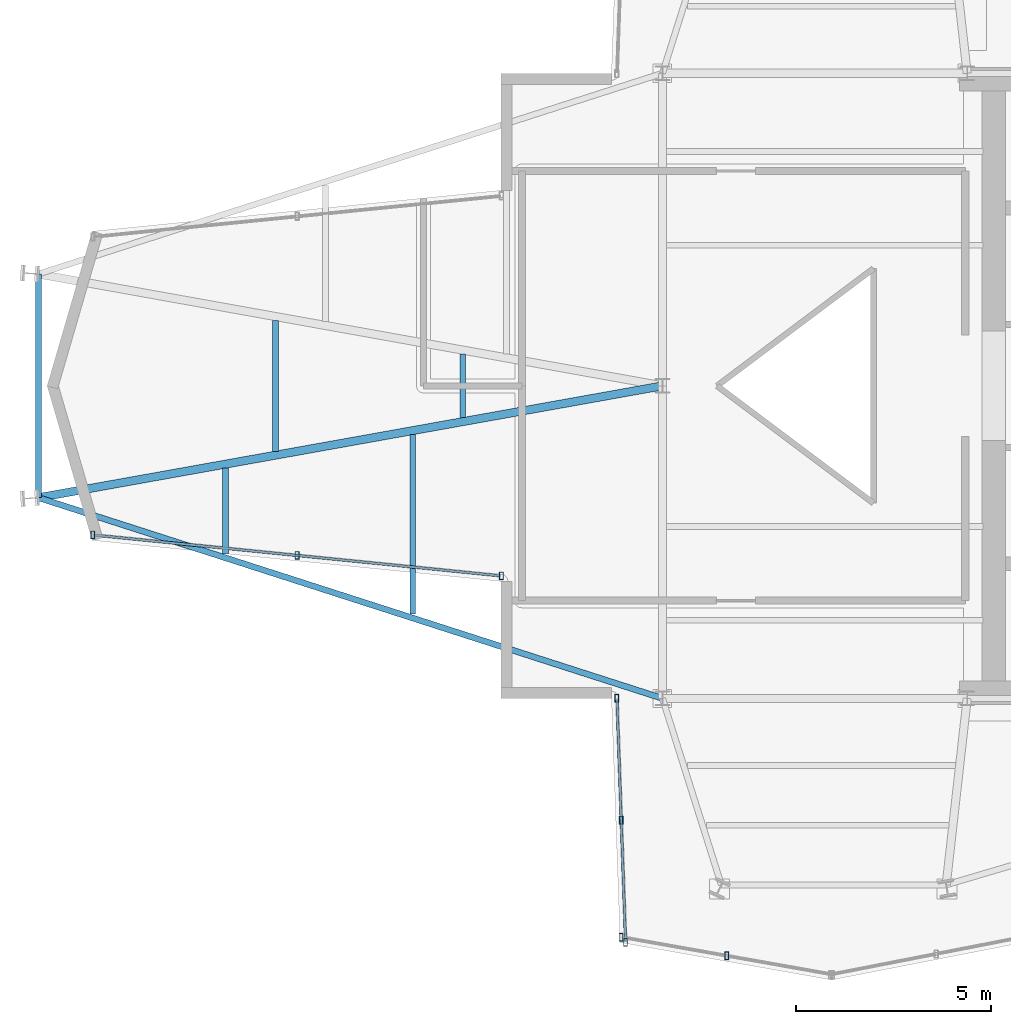
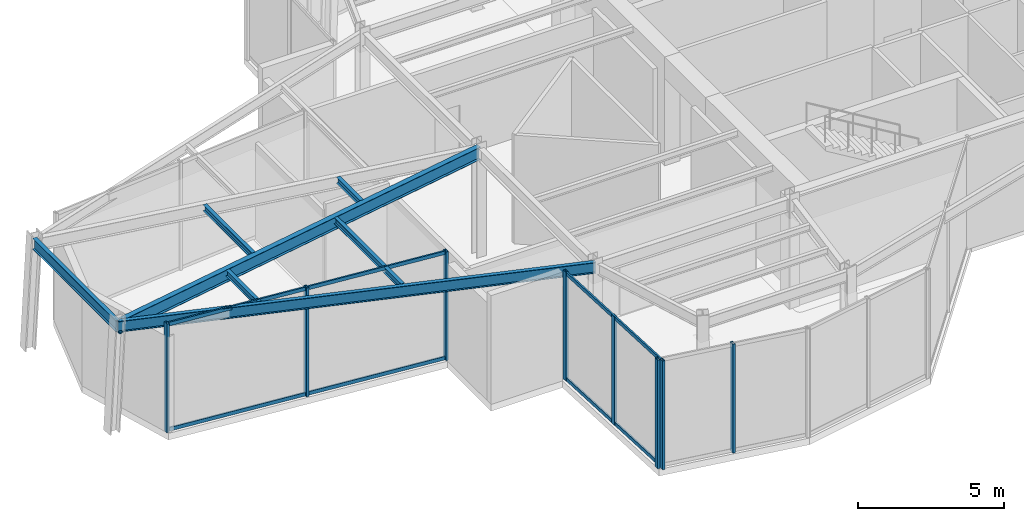
# One storey, part 2 of 15: 12 members, 7 beams, 3 elements without a shape of their own.
"""IFC4 building model written with IfcOpenShell, lengths in metres."""

from ifc_helpers import new_model, si_unit, direction, frame, origin, origin_2d, place, context, subcontext, project, spatial, hollow_rectangle, i_section, extrude, material, layer, layer_set, material_profile, profile_set, type_object, element, aggregate, save


model = new_model("IFC4")

# Units and contexts
model_context = context("Model", 3, precision=1e-05, world=origin(), true_north=direction((0.0, 1.0)))
body_context = subcontext(model_context, "Body", "Model", "MODEL_VIEW")
ifc_project = project(units=[si_unit("LENGTHUNIT", "METRE"), si_unit("AREAUNIT", "SQUARE_METRE"), si_unit("VOLUMEUNIT", "CUBIC_METRE"), si_unit("PLANEANGLEUNIT", "RADIAN"), si_unit("MASSUNIT", "GRAM", prefix="KILO")], contexts=[model_context])

# Site, building, storey
site_placement = place(None, origin())
site = spatial("IfcSite", under=ifc_project, at=site_placement, CompositionType="ELEMENT")
building_placement = place(site_placement, origin())
building = spatial("IfcBuilding", under=site, at=building_placement, Name="Veymaron Broadcast Tower", CompositionType="ELEMENT")
storey_placement = place(building_placement, frame((0.0, 0.0, 262.050048828125)))
storey = spatial("IfcBuildingStorey", under=building, at=storey_placement, Name="L61", CompositionType="ELEMENT", Elevation=262.050048828125)

# Beams
ifc_material_1 = material(Name="Structural steel ASTM A992 Gr 50", Category="steel")
ifc_material_profile_1 = material_profile(ifc_material_1, i_section(OverallWidth=0.208984375, OverallDepth=0.528076171875, WebThickness=0.009521484375, FlangeThickness=0.01318359375, at=origin_2d()), Name="W530X82")
ifc_profile_set_1 = profile_set([ifc_material_profile_1], Name="Structural steel ASTM A992 Gr 50")
beam_type_1 = type_object("IfcBeamType", Name="BM-FG4", PredefinedType="BEAM", material=ifc_profile_set_1)
beam_1_placement = place(storey_placement, frame((15.224365234375, 21.137939453125, 4.2958984375), z_axis=(0.98432849912, 0.176344565609, 0.0), x_axis=(-0.176344565609, 0.98432849912, 0.0)))
element("IfcBeam", 1, at=beam_1_placement, inside=storey, type_object=beam_type_1, Name="L61 primary structural floor girder", PredefinedType="BEAM", context=body_context, shape_type="SweptSolid", body=[
    extrude(i_section(OverallWidth=0.208984375, OverallDepth=0.528076171875, WebThickness=0.009521484375, FlangeThickness=0.01318359375, at=origin_2d()), origin(), (0.0, 0.0, 1.0), 16.22998046875),
])
ifc_material_profile_2 = material_profile(ifc_material_1, i_section(OverallWidth=0.14599609375, OverallDepth=0.258056640625, WebThickness=0.006103515625, FlangeThickness=0.009033203125, at=origin_2d()), Name="W250X33")
ifc_profile_set_2 = profile_set([ifc_material_profile_2], Name="Structural steel ASTM A992 Gr 50")
beam_type_2 = type_object("IfcBeamType", Name="BM-JS4", PredefinedType="JOIST", material=ifc_profile_set_2)
beam_2_placement = place(storey_placement, frame((20.01708984375, 19.696533203125, 4.430908203125), z_axis=(0.0, 1.0, 0.0), x_axis=(-1.0, 0.0, 0.0)))
element("IfcBeam", 2, at=beam_2_placement, inside=storey, type_object=beam_type_2, Name="L61 Arm-A secondary joist 1S", PredefinedType="JOIST", context=body_context, shape_type="SweptSolid", body=[
    extrude(i_section(OverallWidth=0.14599609375, OverallDepth=0.258056640625, WebThickness=0.006103515625, FlangeThickness=0.009033203125, at=origin_2d()), origin(), (0.0, 0.0, 1.0), 2.199951171875),
])
beam_3_placement = place(storey_placement, frame((21.295166015625, 22.32568359375, 4.430908203125), z_axis=(0.0, 1.0, 0.0), x_axis=(-1.0, 0.0, 0.0)))
element("IfcBeam", 3, at=beam_3_placement, inside=storey, type_object=beam_type_2, Name="L61 Arm-A secondary joist 1M", PredefinedType="JOIST", context=body_context, shape_type="SweptSolid", body=[
    extrude(i_section(OverallWidth=0.14599609375, OverallDepth=0.258056640625, WebThickness=0.006103515625, FlangeThickness=0.009033203125, at=origin_2d()), origin(), (0.0, 0.0, 1.0), 3.3486328125),
])
beam_4_placement = place(storey_placement, frame((24.809814453125, 18.1552734375, 4.430908203125), z_axis=(0.0, 1.0, 0.0), x_axis=(-1.0, 0.0, 0.0)))
element("IfcBeam", 4, at=beam_4_placement, inside=storey, type_object=beam_type_2, Name="L61 Arm-A secondary joist 2S", PredefinedType="JOIST", context=body_context, shape_type="SweptSolid", body=[
    extrude(i_section(OverallWidth=0.14599609375, OverallDepth=0.258056640625, WebThickness=0.006103515625, FlangeThickness=0.009033203125, at=origin_2d()), origin(), (0.0, 0.0, 1.0), 4.599853515625),
])
beam_5_placement = place(storey_placement, frame((26.087890625, 23.18408203125, 4.430908203125), z_axis=(0.0, 1.0, 0.0), x_axis=(-1.0, 0.0, 0.0)))
element("IfcBeam", 5, at=beam_5_placement, inside=storey, type_object=beam_type_2, Name="L61 Arm-A secondary joist 2M", PredefinedType="JOIST", context=body_context, shape_type="SweptSolid", body=[
    extrude(i_section(OverallWidth=0.14599609375, OverallDepth=0.258056640625, WebThickness=0.006103515625, FlangeThickness=0.009033203125, at=origin_2d()), origin(), (0.0, 0.0, 1.0), 1.6318359375),
])
ifc_material_profile_3 = material_profile(ifc_material_1, i_section(OverallWidth=0.154052734375, OverallDepth=0.458984375, WebThickness=0.009033203125, FlangeThickness=0.015380859375, at=origin_2d()), Name="W460X68")
ifc_profile_set_3 = profile_set([ifc_material_profile_3], Name="Structural steel ASTM A992 Gr 50")
beam_type_3 = type_object("IfcBeamType", Name="BM-SP2", PredefinedType="SPANDREL", material=ifc_profile_set_3)
beam_6_placement = place(storey_placement, frame((15.224365234375, 21.137939453125, 4.33056640625), z_axis=(0.951977688212, -0.306167407061, 0.0), x_axis=(0.306167407061, 0.951977688212, 0.0)))
element("IfcBeam", 6, at=beam_6_placement, inside=storey, type_object=beam_type_3, Name="L61 primary structural floor girder", PredefinedType="SPANDREL", context=body_context, shape_type="SweptSolid", body=[
    extrude(i_section(OverallWidth=0.154052734375, OverallDepth=0.458984375, WebThickness=0.009033203125, FlangeThickness=0.015380859375, at=origin_2d()), origin(), (0.0, 0.0, 1.0), 16.781494140625),
])
beam_7_placement = place(storey_placement, frame((15.224365234375, 21.137939453125, 4.33056640625), z_axis=(0.0, 1.0, 0.0), x_axis=(-1.0, 0.0, 0.0)))
element("IfcBeam", 7, at=beam_7_placement, inside=storey, type_object=beam_type_3, Name="L61 primary structural floor girder", PredefinedType="SPANDREL", context=body_context, shape_type="SweptSolid", body=[
    extrude(i_section(OverallWidth=0.154052734375, OverallDepth=0.458984375, WebThickness=0.009033203125, FlangeThickness=0.015380859375, at=origin_2d()), origin(), (0.0, 0.0, 1.0), 5.72412109375),
])

# Curtain wall, members
ifc_material_2 = material(Name="Anodised aluminium AA 6063-T6 and laminated low-E dark glass", Category="aluminium")
ifc_layer = layer(ifc_material_2, 0.179931640625)
ifc_layer_set = layer_set([ifc_layer], Name="Anodised aluminium AA 6063-T6 and laminated low-E dark glass")
curtain_wall_type = type_object("IfcCurtainWallType", Name="CW-SYS-04", PredefinedType="NOTDEFINED", material=ifc_layer_set)
curtain_wall_1_placement = place(storey_placement, origin())
curtain_wall_1 = element("IfcCurtainWall", 8, at=curtain_wall_1_placement, inside=storey, type_object=curtain_wall_type, Name="L61 dark-glass curtain wall CW-L61-E14-1", PredefinedType="NOTDEFINED")
ifc_material_3 = material(Name="Anodised aluminium AA 6063-T6", Category="aluminium")
ifc_material_profile_4 = material_profile(ifc_material_3, hollow_rectangle(XDim=0.10009765625, YDim=0.199951171875, WallThickness=0.010009765625, at=origin_2d()), Name="RHS200X100X10")
ifc_profile_set_4 = profile_set([ifc_material_profile_4], Name="Anodised aluminium AA 6063-T6")
member_type_1 = type_object("IfcMemberType", Name="CW-MUL-01", PredefinedType="MULLION", material=ifc_profile_set_4)
member_1_placement = place(storey_placement, frame((16.614013671875, 20.18310546875, 0.0), z_axis=(0.0, 0.0, 1.0), x_axis=(1.0, 0.0, 0.0)))
member_1 = element("IfcMember", 9, at=member_1_placement, type_object=member_type_1, Name="CW-L61-E14-1 mullion 0", PredefinedType="MULLION", context=body_context, shape_type="SweptSolid", body=[
    extrude(hollow_rectangle(XDim=0.10009765625, YDim=0.199951171875, WallThickness=0.010009765625, at=origin_2d()), origin(), (0.0, 0.0, 1.0), 4.56005859375),
])
member_2_placement = place(storey_placement, frame((21.845947265625, 19.65869140625, 0.0), z_axis=(0.0, 0.0, 1.0), x_axis=(1.0, 0.0, 0.0)))
member_2 = element("IfcMember", 10, at=member_2_placement, type_object=member_type_1, Name="CW-L61-E14-1 mullion 1", PredefinedType="MULLION", context=body_context, shape_type="SweptSolid", body=[
    extrude(hollow_rectangle(XDim=0.10009765625, YDim=0.199951171875, WallThickness=0.010009765625, at=origin_2d()), origin(), (0.0, 0.0, 1.0), 4.56005859375),
])
member_3_placement = place(storey_placement, frame((27.077880859375, 19.13427734375, 0.0), z_axis=(0.0, 0.0, 1.0), x_axis=(1.0, 0.0, 0.0)))
member_3 = element("IfcMember", 11, at=member_3_placement, type_object=member_type_1, Name="CW-L61-E14-1 mullion 2", PredefinedType="MULLION", context=body_context, shape_type="SweptSolid", body=[
    extrude(hollow_rectangle(XDim=0.10009765625, YDim=0.199951171875, WallThickness=0.010009765625, at=origin_2d()), origin(), (0.0, 0.0, 1.0), 4.56005859375),
])

curtain_wall_2_placement = place(storey_placement, origin())
curtain_wall_2 = element("IfcCurtainWall", 12, at=curtain_wall_2_placement, inside=storey, type_object=curtain_wall_type, Name="L61 dark-glass curtain wall CW-L61-E17-1", PredefinedType="NOTDEFINED")
member_4_placement = place(storey_placement, frame((30.0322265625, 16.0048828125, 0.0), z_axis=(0.0, 0.0, 1.0), x_axis=(1.0, 0.0, 0.0)))
member_4 = element("IfcMember", 13, at=member_4_placement, type_object=member_type_1, Name="CW-L61-E17-1 mullion 0", PredefinedType="MULLION", context=body_context, shape_type="SweptSolid", body=[
    extrude(hollow_rectangle(XDim=0.10009765625, YDim=0.199951171875, WallThickness=0.010009765625, at=origin_2d()), origin(), (0.0, 0.0, 1.0), 4.56005859375),
])
member_5_placement = place(storey_placement, frame((30.143310546875, 12.881103515625, 0.0), z_axis=(0.0, 0.0, 1.0), x_axis=(1.0, 0.0, 0.0)))
member_5 = element("IfcMember", 14, at=member_5_placement, type_object=member_type_1, Name="CW-L61-E17-1 mullion 1", PredefinedType="MULLION", context=body_context, shape_type="SweptSolid", body=[
    extrude(hollow_rectangle(XDim=0.10009765625, YDim=0.199951171875, WallThickness=0.010009765625, at=origin_2d()), origin(), (0.0, 0.0, 1.0), 4.56005859375),
])
member_6_placement = place(storey_placement, frame((30.254150390625, 9.757080078125, 0.0), z_axis=(0.0, 0.0, 1.0), x_axis=(1.0, 0.0, 0.0)))
member_6 = element("IfcMember", 15, at=member_6_placement, type_object=member_type_1, Name="CW-L61-E17-1 mullion 2", PredefinedType="MULLION", context=body_context, shape_type="SweptSolid", body=[
    extrude(hollow_rectangle(XDim=0.10009765625, YDim=0.199951171875, WallThickness=0.010009765625, at=origin_2d()), origin(), (0.0, 0.0, 1.0), 4.56005859375),
])

curtain_wall_3_placement = place(storey_placement, origin())
curtain_wall_3 = element("IfcCurtainWall", 16, at=curtain_wall_3_placement, inside=storey, type_object=curtain_wall_type, Name="L61 dark-glass curtain wall CW-L61-E18-1", PredefinedType="NOTDEFINED")
member_7_placement = place(storey_placement, frame((30.138671875, 9.889892578125, 0.0), z_axis=(0.0, 0.0, 1.0), x_axis=(1.0, 0.0, 0.0)))
member_7 = element("IfcMember", 17, at=member_7_placement, type_object=member_type_1, Name="CW-L61-E18-1 mullion 0", PredefinedType="MULLION", context=body_context, shape_type="SweptSolid", body=[
    extrude(hollow_rectangle(XDim=0.10009765625, YDim=0.199951171875, WallThickness=0.010009765625, at=origin_2d()), origin(), (0.0, 0.0, 1.0), 4.56005859375),
])
member_8_placement = place(storey_placement, frame((32.845458984375, 9.409912109375, 0.0), z_axis=(0.0, 0.0, 1.0), x_axis=(1.0, 0.0, 0.0)))
member_8 = element("IfcMember", 18, at=member_8_placement, type_object=member_type_1, Name="CW-L61-E18-1 mullion 1", PredefinedType="MULLION", context=body_context, shape_type="SweptSolid", body=[
    extrude(hollow_rectangle(XDim=0.10009765625, YDim=0.199951171875, WallThickness=0.010009765625, at=origin_2d()), origin(), (0.0, 0.0, 1.0), 4.56005859375),
])
aggregate(curtain_wall_3, [member_7, member_8])

# Member
ifc_material_profile_5 = material_profile(ifc_material_3, hollow_rectangle(XDim=0.06494140625, YDim=0.14990234375, WallThickness=0.00390625, at=origin_2d()), Name="AL150X65X4")
ifc_profile_set_5 = profile_set([ifc_material_profile_5], Name="Anodised aluminium AA 6063-T6")
member_type_2 = type_object("IfcMemberType", Name="CW-TRN-01", PredefinedType="USERDEFINED", material=ifc_profile_set_5)
member_9_placement = place(storey_placement, frame((16.663818359375, 20.177978515625, 0.070068359375), z_axis=(0.995014654959, -0.099728814379, 0.0), x_axis=(0.099728814379, 0.995014654959, 0.0)))
member_9 = element("IfcMember", 19, at=member_9_placement, type_object=member_type_2, Name="CW-L61-E14-1 transom B", ObjectType="TRANSOM", PredefinedType="USERDEFINED", context=body_context, shape_type="SweptSolid", body=[
    extrude(hollow_rectangle(XDim=0.06494140625, YDim=0.14990234375, WallThickness=0.00390625, at=origin_2d()), origin(), (0.0, 0.0, 1.0), 10.41650390625),
])

member_10_placement = place(storey_placement, frame((16.663818359375, 20.177978515625, 4.489990234375), z_axis=(0.995014654959, -0.099728814379, 0.0), x_axis=(0.099728814379, 0.995014654959, 0.0)))
member_10 = element("IfcMember", 20, at=member_10_placement, type_object=member_type_2, Name="CW-L61-E14-1 transom T", ObjectType="TRANSOM", PredefinedType="USERDEFINED", context=body_context, shape_type="SweptSolid", body=[
    extrude(hollow_rectangle(XDim=0.06494140625, YDim=0.14990234375, WallThickness=0.00390625, at=origin_2d()), origin(), (0.0, 0.0, 1.0), 10.41650390625),
])

aggregate(curtain_wall_1, [member_1, member_2, member_3, member_9, member_10])

member_11_placement = place(storey_placement, frame((30.0341796875, 15.955078125, 0.070068359375), z_axis=(0.035438155941, -0.999371871279, 0.0), x_axis=(0.999371871279, 0.035438155941, 0.0)))
member_11 = element("IfcMember", 21, at=member_11_placement, type_object=member_type_2, Name="CW-L61-E17-1 transom B", ObjectType="TRANSOM", PredefinedType="USERDEFINED", context=body_context, shape_type="SweptSolid", body=[
    extrude(hollow_rectangle(XDim=0.06494140625, YDim=0.14990234375, WallThickness=0.00390625, at=origin_2d()), origin(), (0.0, 0.0, 1.0), 6.152099609375),
])

member_12_placement = place(storey_placement, frame((30.0341796875, 15.955078125, 4.489990234375), z_axis=(0.035438155941, -0.999371871279, 0.0), x_axis=(0.999371871279, 0.035438155941, 0.0)))
member_12 = element("IfcMember", 22, at=member_12_placement, type_object=member_type_2, Name="CW-L61-E17-1 transom T", ObjectType="TRANSOM", PredefinedType="USERDEFINED", context=body_context, shape_type="SweptSolid", body=[
    extrude(hollow_rectangle(XDim=0.06494140625, YDim=0.14990234375, WallThickness=0.00390625, at=origin_2d()), origin(), (0.0, 0.0, 1.0), 6.152099609375),
])

aggregate(curtain_wall_2, [member_4, member_5, member_6, member_11, member_12])

save(model, "model.ifc")
